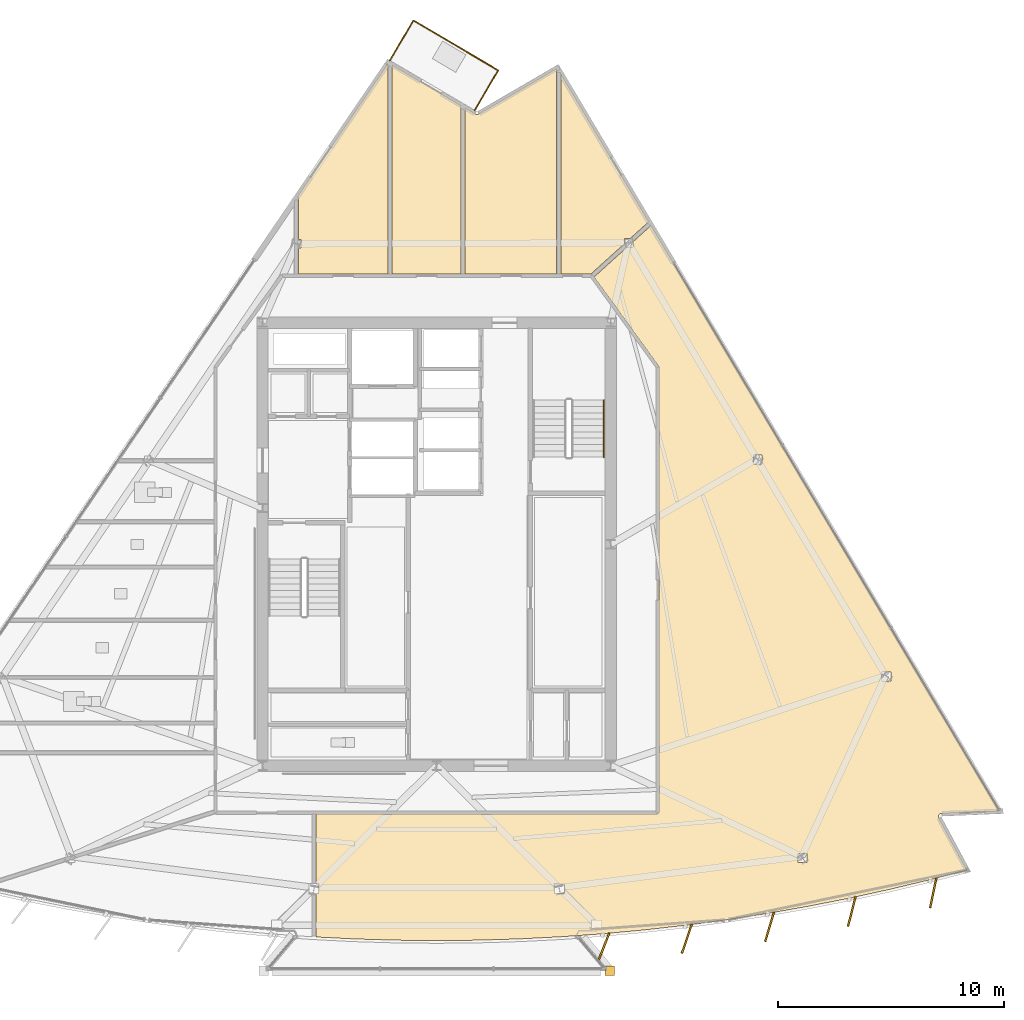
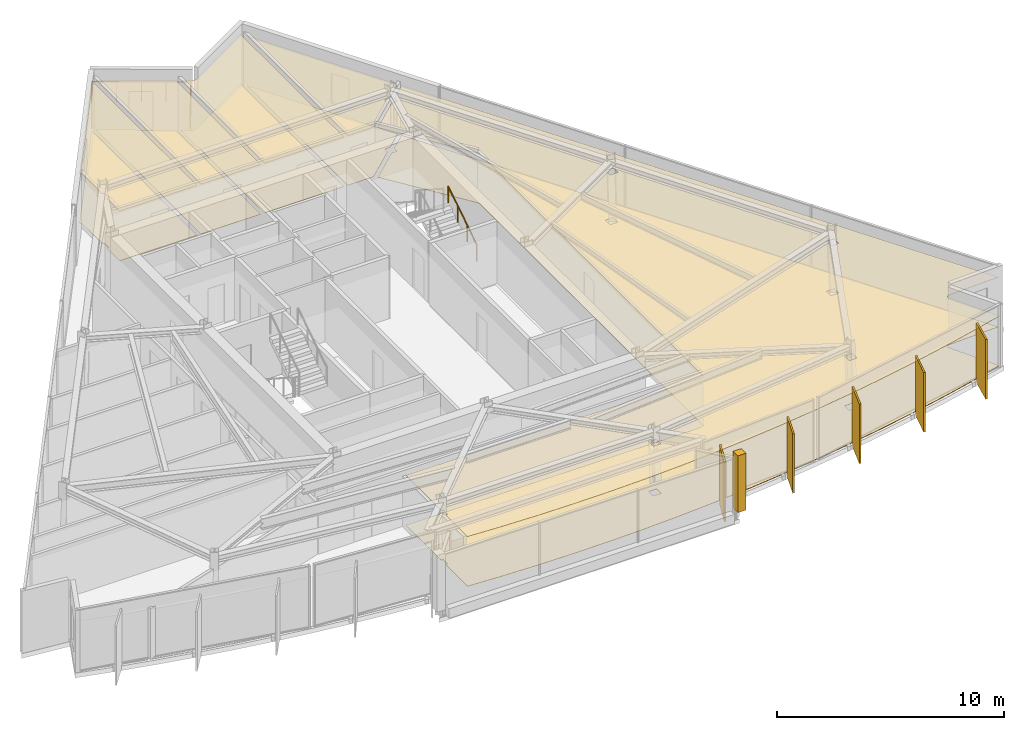
# One storey, part 13 of 14: 11 coverings, 5 shading devices, 4 railings.
"""IFC4 building model written with IfcOpenShell, lengths in metres."""

from ifc_helpers import new_model, si_unit, direction, frame, origin, origin_2d, place, context, subcontext, project, spatial, polyline, rectangle, circle, outline, extrude, material, layer, layer_set, type_object, element, save


model = new_model("IFC4")

# Units and contexts
model_context = context("Model", 3, precision=1e-05, world=origin(), true_north=direction((0.0, 1.0)))
body_context = subcontext(model_context, "Body", "Model", "MODEL_VIEW")
ifc_project = project(units=[si_unit("LENGTHUNIT", "METRE"), si_unit("AREAUNIT", "SQUARE_METRE"), si_unit("VOLUMEUNIT", "CUBIC_METRE"), si_unit("PLANEANGLEUNIT", "RADIAN"), si_unit("MASSUNIT", "GRAM", prefix="KILO")], contexts=[model_context])

# Site, building, storey
site_placement = place(None, origin())
site = spatial("IfcSite", under=ifc_project, at=site_placement, CompositionType="ELEMENT")
building_placement = place(site_placement, origin())
building = spatial("IfcBuilding", under=site, at=building_placement, Name="Savorim Split Tower", CompositionType="ELEMENT")
storey_placement = place(building_placement, frame((0.0, 0.0, 234.300048828125)))
storey = spatial("IfcBuildingStorey", under=building, at=storey_placement, Name="L62", CompositionType="ELEMENT", Elevation=234.300048828125)

# Coverings
ifc_material_1 = material(Name="Mineral Fibre Acoustic Ceiling")
ifc_layer_1 = layer(ifc_material_1, 0.02490234375)
ifc_layer_set_1 = layer_set([ifc_layer_1], Name="COV-CEIL-25")
covering_type_1 = type_object("IfcCoveringType", Name="COV-CEIL-25", PredefinedType="CEILING", material=ifc_layer_set_1)
covering_1_placement = place(storey_placement, frame((0.0, 0.0, 2.669921875)))
element("IfcCovering", 1, at=covering_1_placement, inside=storey, type_object=covering_type_1, Name="L62 Maker Workshop Acoustic Ceiling", PredefinedType="CEILING", context=body_context, shape_type="SweptSolid", body=[
    extrude(outline(polyline([(22.282958984375, -11.518310546875), (22.294189453125, -11.516357421875), (22.305908203125, -11.51513671875), (24.887451171875, -11.405517578125), (9.485107421875, 14.497314453125), (8.6953125, 13.783203125), (8.6953125, 13.537109375), (8.423095703125, 13.537109375), (6.96875, 12.221923828125), (6.961669921875, 12.215576171875), (9.813232421875, 8.2822265625), (9.8212890625, 8.27001953125), (9.827880859375, 8.2568359375), (9.833251953125, 8.2431640625), (9.8369140625, 8.22900390625), (9.839111328125, 8.214599609375), (9.840087890625, 8.199951171875), (9.840087890625, -11.39990234375), (9.83935546875, -11.413818359375), (9.83740234375, -11.42724609375), (9.833984375, -11.440673828125), (9.829345703125, -11.45361328125), (9.823486328125, -11.466064453125), (9.81640625, -11.477783203125), (9.80810546875, -11.48876953125), (9.799072265625, -11.4990234375), (9.788818359375, -11.50830078125), (9.77783203125, -11.516357421875), (9.76611328125, -11.5234375), (9.753662109375, -11.529296875), (9.740478515625, -11.533935546875), (9.727294921875, -11.537353515625), (9.713623046875, -11.539306640625), (9.699951171875, -11.5400390625), (-5.330810546875, -11.5400390625), (-5.330810546875, -14.6591796875), (-5.228759765625, -14.6591796875), (-5.228759765625, -15.05126953125), (-5.330810546875, -15.05126953125), (-5.330810546875, -16.917724609375), (-5.330810546875, -16.97265625), (-3.672607421875, -17.0576171875), (-1.836669921875, -17.114013671875), (0.0, -17.1328125), (1.836669921875, -17.114013671875), (3.672607421875, -17.0576171875), (5.5068359375, -16.963623046875), (7.3388671875, -16.832275390625), (9.167724609375, -16.663330078125), (10.992919921875, -16.45703125), (12.8134765625, -16.21337890625), (14.62841796875, -15.9326171875), (16.4375, -15.61474609375), (18.23974609375, -15.260009765625), (20.0341796875, -14.868408203125), (21.8203125, -14.440185546875), (23.450927734375, -14.013671875), (22.205078125, -11.69189453125), (22.2001953125, -11.681396484375), (22.1962890625, -11.670654296875), (22.193359375, -11.659423828125), (22.191650390625, -11.64794921875), (22.19091796875, -11.636474609375), (22.19140625, -11.625), (22.19287109375, -11.613525390625), (22.195556640625, -11.602294921875), (22.19921875, -11.59130859375), (22.203857421875, -11.580810546875), (22.209716796875, -11.57080078125), (22.21630859375, -11.561279296875), (22.223876953125, -11.552490234375), (22.232177734375, -11.544677734375), (22.2412109375, -11.537353515625), (22.2509765625, -11.53125), (22.26123046875, -11.52587890625), (22.27197265625, -11.521484375), (22.282958984375, -11.518310546875)]), holes=[polyline([(5.228759765625, -15.05126953125), (5.622802734375, -15.05126953125), (5.622802734375, -14.6591796875), (5.228759765625, -14.6591796875), (5.228759765625, -15.05126953125)]), polyline([(16.3857421875, -13.669189453125), (16.3857421875, -13.27734375), (15.99169921875, -13.27734375), (15.99169921875, -13.669189453125), (16.3857421875, -13.669189453125)]), polyline([(20.100341796875, -5.643310546875), (20.100341796875, -5.251220703125), (19.706298828125, -5.251220703125), (19.706298828125, -5.643310546875), (20.100341796875, -5.643310546875)]), polyline([(14.397705078125, 3.947021484375), (14.397705078125, 4.3388671875), (14.00390625, 4.3388671875), (14.00390625, 3.947021484375), (14.397705078125, 3.947021484375)])]), origin(), (0.0, 0.0, 1.0), 0.025146484375),
])
covering_2_placement = place(storey_placement, frame((0.0, 0.0, 2.669921875)))
element("IfcCovering", 2, at=covering_2_placement, inside=storey, type_object=covering_type_1, Name="L62 Quiet Study Room Acoustic Ceiling", PredefinedType="CEILING", context=body_context, shape_type="SweptSolid", body=[
    extrude(outline(polyline([(8.5732421875, 13.92919921875), (9.333984375, 14.616943359375), (9.385986328125, 14.6640625), (5.496826171875, 21.2041015625), (5.496826171875, 12.340087890625), (6.800048828125, 12.340087890625), (6.813232421875, 12.33935546875), (6.81494140625, 12.339111328125), (8.30126953125, 13.68310546875), (8.30126953125, 13.92919921875), (8.5732421875, 13.92919921875)])), origin(), (0.0, 0.0, 1.0), 0.025146484375),
])
covering_3_placement = place(storey_placement, frame((0.0, 0.0, 2.669921875)))
element("IfcCovering", 3, at=covering_3_placement, inside=storey, type_object=covering_type_1, Name="L62 Quiet Study Room Acoustic Ceiling", PredefinedType="CEILING", context=body_context, shape_type="SweptSolid", body=[
    extrude(outline(polyline([(1.748779296875, 19.415283203125), (1.73828125, 19.419921875), (1.72802734375, 19.425048828125), (1.258544921875, 19.701171875), (1.258544921875, 12.340087890625), (5.306884765625, 12.340087890625), (5.306884765625, 21.440185546875), (1.84912109375, 19.4248046875), (1.839111328125, 19.419677734375), (1.828369140625, 19.415283203125), (1.817138671875, 19.412109375), (1.805908203125, 19.409912109375), (1.79443359375, 19.40869140625), (1.78271484375, 19.40869140625), (1.771240234375, 19.409912109375), (1.760009765625, 19.412109375), (1.748779296875, 19.415283203125)])), origin(), (0.0, 0.0, 1.0), 0.025146484375),
])
covering_4_placement = place(storey_placement, frame((0.0, 0.0, 2.669921875)))
element("IfcCovering", 4, at=covering_4_placement, inside=storey, type_object=covering_type_1, Name="L62 Quiet Study Room Acoustic Ceiling", PredefinedType="CEILING", context=body_context, shape_type="SweptSolid", body=[
    extrude(outline(polyline([(-1.968994140625, 12.340087890625), (1.068603515625, 12.340087890625), (1.068603515625, 19.812744140625), (-1.968994140625, 21.597900390625), (-1.968994140625, 12.340087890625)])), origin(), (0.0, 0.0, 1.0), 0.025146484375),
])
covering_5_placement = place(storey_placement, frame((0.0, 0.0, 2.669921875)))
element("IfcCovering", 5, at=covering_5_placement, inside=storey, type_object=covering_type_1, Name="L62 Quiet Study Room Acoustic Ceiling", PredefinedType="CEILING", context=body_context, shape_type="SweptSolid", body=[
    extrude(outline(polyline([(-6.0048828125, 13.48828125), (-6.106689453125, 13.48828125), (-6.106689453125, 12.340087890625), (-2.158935546875, 12.340087890625), (-2.158935546875, 21.658935546875), (-6.197509765625, 15.721923828125), (-6.106689453125, 15.721923828125), (-6.106689453125, 13.88037109375), (-6.0048828125, 13.88037109375), (-6.0048828125, 13.48828125)])), origin(), (0.0, 0.0, 1.0), 0.025146484375),
])
ifc_material_2 = material(Name="Porcelain Stoneware Flooring", Category="masonry")
ifc_layer_2 = layer(ifc_material_2, 0.02001953125)
ifc_layer_set_2 = layer_set([ifc_layer_2], Name="COV-FLOR-20")
covering_type_2 = type_object("IfcCoveringType", Name="COV-FLOR-20", PredefinedType="FLOORING", material=ifc_layer_set_2)
covering_6_placement = place(storey_placement, origin())
element("IfcCovering", 6, at=covering_6_placement, inside=storey, type_object=covering_type_2, Name="L62 Maker Workshop Porcelain Flooring", PredefinedType="FLOORING", context=body_context, shape_type="SweptSolid", body=[
    extrude(outline(polyline([(22.282958984375, -11.518310546875), (22.294189453125, -11.516357421875), (22.305908203125, -11.51513671875), (24.887451171875, -11.405517578125), (9.485107421875, 14.497314453125), (8.6953125, 13.783203125), (8.6953125, 13.537109375), (8.423095703125, 13.537109375), (6.96875, 12.221923828125), (6.961669921875, 12.215576171875), (9.813232421875, 8.2822265625), (9.8212890625, 8.27001953125), (9.827880859375, 8.2568359375), (9.833251953125, 8.2431640625), (9.8369140625, 8.22900390625), (9.839111328125, 8.214599609375), (9.840087890625, 8.199951171875), (9.840087890625, -11.39990234375), (9.83935546875, -11.413818359375), (9.83740234375, -11.42724609375), (9.833984375, -11.440673828125), (9.829345703125, -11.45361328125), (9.823486328125, -11.466064453125), (9.81640625, -11.477783203125), (9.80810546875, -11.48876953125), (9.799072265625, -11.4990234375), (9.788818359375, -11.50830078125), (9.77783203125, -11.516357421875), (9.76611328125, -11.5234375), (9.753662109375, -11.529296875), (9.740478515625, -11.533935546875), (9.727294921875, -11.537353515625), (9.713623046875, -11.539306640625), (9.699951171875, -11.5400390625), (-5.330810546875, -11.5400390625), (-5.330810546875, -14.6591796875), (-5.228759765625, -14.6591796875), (-5.228759765625, -15.05126953125), (-5.330810546875, -15.05126953125), (-5.330810546875, -16.917724609375), (-5.330810546875, -16.97265625), (-3.672607421875, -17.0576171875), (-1.836669921875, -17.114013671875), (0.0, -17.1328125), (1.836669921875, -17.114013671875), (3.672607421875, -17.0576171875), (5.5068359375, -16.963623046875), (7.3388671875, -16.832275390625), (9.167724609375, -16.663330078125), (10.992919921875, -16.45703125), (12.8134765625, -16.21337890625), (14.62841796875, -15.9326171875), (16.4375, -15.61474609375), (18.23974609375, -15.260009765625), (20.0341796875, -14.868408203125), (21.8203125, -14.440185546875), (23.450927734375, -14.013671875), (22.205078125, -11.69189453125), (22.2001953125, -11.681396484375), (22.1962890625, -11.670654296875), (22.193359375, -11.659423828125), (22.191650390625, -11.64794921875), (22.19091796875, -11.636474609375), (22.19140625, -11.625), (22.19287109375, -11.613525390625), (22.195556640625, -11.602294921875), (22.19921875, -11.59130859375), (22.203857421875, -11.580810546875), (22.209716796875, -11.57080078125), (22.21630859375, -11.561279296875), (22.223876953125, -11.552490234375), (22.232177734375, -11.544677734375), (22.2412109375, -11.537353515625), (22.2509765625, -11.53125), (22.26123046875, -11.52587890625), (22.27197265625, -11.521484375), (22.282958984375, -11.518310546875)]), holes=[polyline([(5.228759765625, -15.05126953125), (5.622802734375, -15.05126953125), (5.622802734375, -14.6591796875), (5.228759765625, -14.6591796875), (5.228759765625, -15.05126953125)]), polyline([(16.3857421875, -13.669189453125), (16.3857421875, -13.27734375), (15.99169921875, -13.27734375), (15.99169921875, -13.669189453125), (16.3857421875, -13.669189453125)]), polyline([(20.100341796875, -5.643310546875), (20.100341796875, -5.251220703125), (19.706298828125, -5.251220703125), (19.706298828125, -5.643310546875), (20.100341796875, -5.643310546875)]), polyline([(14.397705078125, 3.947021484375), (14.397705078125, 4.3388671875), (14.00390625, 4.3388671875), (14.00390625, 3.947021484375), (14.397705078125, 3.947021484375)])]), origin(), (0.0, 0.0, 1.0), 0.02001953125),
])
covering_7_placement = place(storey_placement, origin())
element("IfcCovering", 7, at=covering_7_placement, inside=storey, type_object=covering_type_2, Name="L62 Quiet Study Room Porcelain Flooring", PredefinedType="FLOORING", context=body_context, shape_type="SweptSolid", body=[
    extrude(outline(polyline([(8.5732421875, 13.92919921875), (9.333984375, 14.616943359375), (9.385986328125, 14.6640625), (5.496826171875, 21.2041015625), (5.496826171875, 12.340087890625), (6.800048828125, 12.340087890625), (6.813232421875, 12.33935546875), (6.81494140625, 12.339111328125), (8.30126953125, 13.68310546875), (8.30126953125, 13.92919921875), (8.5732421875, 13.92919921875)])), origin(), (0.0, 0.0, 1.0), 0.02001953125),
])
covering_8_placement = place(storey_placement, origin())
element("IfcCovering", 8, at=covering_8_placement, inside=storey, type_object=covering_type_2, Name="L62 Quiet Study Room Porcelain Flooring", PredefinedType="FLOORING", context=body_context, shape_type="SweptSolid", body=[
    extrude(outline(polyline([(1.748779296875, 19.415283203125), (1.73828125, 19.419921875), (1.72802734375, 19.425048828125), (1.258544921875, 19.701171875), (1.258544921875, 12.340087890625), (5.306884765625, 12.340087890625), (5.306884765625, 21.440185546875), (1.84912109375, 19.4248046875), (1.839111328125, 19.419677734375), (1.828369140625, 19.415283203125), (1.817138671875, 19.412109375), (1.805908203125, 19.409912109375), (1.79443359375, 19.40869140625), (1.78271484375, 19.40869140625), (1.771240234375, 19.409912109375), (1.760009765625, 19.412109375), (1.748779296875, 19.415283203125)])), origin(), (0.0, 0.0, 1.0), 0.02001953125),
])
covering_9_placement = place(storey_placement, origin())
element("IfcCovering", 9, at=covering_9_placement, inside=storey, type_object=covering_type_2, Name="L62 Quiet Study Room Porcelain Flooring", PredefinedType="FLOORING", context=body_context, shape_type="SweptSolid", body=[
    extrude(outline(polyline([(-1.968994140625, 12.340087890625), (1.068603515625, 12.340087890625), (1.068603515625, 19.812744140625), (-1.968994140625, 21.597900390625), (-1.968994140625, 12.340087890625)])), origin(), (0.0, 0.0, 1.0), 0.02001953125),
])
covering_10_placement = place(storey_placement, origin())
element("IfcCovering", 10, at=covering_10_placement, inside=storey, type_object=covering_type_2, Name="L62 Quiet Study Room Porcelain Flooring", PredefinedType="FLOORING", context=body_context, shape_type="SweptSolid", body=[
    extrude(outline(polyline([(-6.0048828125, 13.48828125), (-6.106689453125, 13.48828125), (-6.106689453125, 12.340087890625), (-2.158935546875, 12.340087890625), (-2.158935546875, 21.658935546875), (-6.197509765625, 15.721923828125), (-6.106689453125, 15.721923828125), (-6.106689453125, 13.88037109375), (-6.0048828125, 13.88037109375), (-6.0048828125, 13.48828125)])), origin(), (0.0, 0.0, 1.0), 0.02001953125),
])
ifc_material_3 = material(Name="White Porcelain Architectural Cladding")
ifc_layer_3 = layer(ifc_material_3, 0.139892578125)
ifc_layer_set_3 = layer_set([ifc_layer_3], Name="COV-FRM-WHITE")
covering_type_3 = type_object("IfcCoveringType", Name="COV-FRM-WHITE", PredefinedType="CLADDING", material=ifc_layer_set_3)
covering_11_placement = place(storey_placement, frame((0.0, 0.0, 0.5400390625)))
element("IfcCovering", 11, at=covering_11_placement, inside=storey, type_object=covering_type_3, Name="L62 Cantilevered Lounge White Frame Corner Post 2", PredefinedType="CLADDING", context=body_context, shape_type="SweptSolid", body=[
    extrude(outline(polyline([(7.444091796875, -18.677490234375), (7.864013671875, -18.677490234375), (7.864013671875, -18.257568359375), (7.444091796875, -18.257568359375), (7.444091796875, -18.677490234375)])), origin(), (0.0, 0.0, 1.0), 3.0498046875),
])

# Railings
ifc_material_4 = material(Name="Galvanised Painted Steel Balustrade", Category="steel")
railing_type_1 = type_object("IfcRailingType", Name="RLG-BAL-1100", PredefinedType="BALUSTRADE", material=ifc_material_4)
railing_1_placement = place(storey_placement, frame((-2.06689453125, 21.794677734375, 0.0)))
element("IfcRailing", 12, at=railing_1_placement, inside=storey, type_object=railing_type_1, Name="L62 Tree Balcony Guardrail N-1", PredefinedType="BALUSTRADE", context=body_context, shape_type="SweptSolid", body=[
    extrude(circle(Radius=0.02392578125, at=origin_2d()), frame((0.0, 0.0, 1.076171875), z_axis=(0.506733850669, 0.862102548764, 0.0), x_axis=(-0.862102548764, 0.506733850669, 0.0)), (0.0, 0.0, 1.0), 2.050048828125),
    extrude(circle(Radius=0.02099609375, at=origin_2d()), origin(), (0.0, 0.0, 1.0), 1.052001953125),
    extrude(circle(Radius=0.02099609375, at=origin_2d()), frame((0.51953125, 0.8837890625, 0.0)), (0.0, 0.0, 1.0), 1.052001953125),
    extrude(circle(Radius=0.02099609375, at=origin_2d()), frame((1.038818359375, 1.767333984375, 0.0)), (0.0, 0.0, 1.0), 1.052001953125),
])
railing_2_placement = place(storey_placement, frame((-1.028076171875, 23.56201171875, 0.0)))
element("IfcRailing", 13, at=railing_2_placement, inside=storey, type_object=railing_type_1, Name="L62 Tree Balcony Guardrail N-2", PredefinedType="BALUSTRADE", context=body_context, shape_type="SweptSolid", body=[
    extrude(circle(Radius=0.02392578125, at=origin_2d()), frame((0.0, 0.0, 1.076171875), z_axis=(0.862120178289, -0.506703856496, 0.0), x_axis=(0.506703856496, 0.862120178289, 0.0)), (0.0, 0.0, 1.0), 4.352294921875),
    extrude(circle(Radius=0.02099609375, at=origin_2d()), origin(), (0.0, 0.0, 1.0), 1.052001953125),
    extrude(circle(Radius=0.02099609375, at=origin_2d()), frame((0.93798828125, -0.55126953125, 0.0)), (0.0, 0.0, 1.0), 1.052001953125),
    extrude(circle(Radius=0.02099609375, at=origin_2d()), frame((1.8759765625, -1.1025390625, 0.0)), (0.0, 0.0, 1.0), 1.052001953125),
    extrude(circle(Radius=0.02099609375, at=origin_2d()), frame((2.814208984375, -1.654052734375, 0.0)), (0.0, 0.0, 1.0), 1.052001953125),
    extrude(circle(Radius=0.02099609375, at=origin_2d()), frame((3.752197265625, -2.205322265625, 0.0)), (0.0, 0.0, 1.0), 1.052001953125),
])
railing_3_placement = place(storey_placement, frame((2.72412109375, 21.356689453125, 0.0)))
element("IfcRailing", 14, at=railing_3_placement, inside=storey, type_object=railing_type_1, Name="L62 Tree Balcony Guardrail N-3", PredefinedType="BALUSTRADE", context=body_context, shape_type="SweptSolid", body=[
    extrude(circle(Radius=0.02392578125, at=origin_2d()), frame((0.0, 0.0, 1.076171875), z_axis=(-0.506733850669, -0.862102548764, 0.0), x_axis=(0.862102548764, -0.506733850669, 0.0)), (0.0, 0.0, 1.0), 2.050048828125),
    extrude(circle(Radius=0.02099609375, at=origin_2d()), origin(), (0.0, 0.0, 1.0), 1.052001953125),
    extrude(circle(Radius=0.02099609375, at=origin_2d()), frame((-0.51953125, -0.8837890625, 0.0)), (0.0, 0.0, 1.0), 1.052001953125),
    extrude(circle(Radius=0.02099609375, at=origin_2d()), frame((-1.038818359375, -1.767333984375, 0.0)), (0.0, 0.0, 1.0), 1.052001953125),
])
railing_type_2 = type_object("IfcRailingType", Name="RLG-HR-900", PredefinedType="HANDRAIL", material=ifc_material_4)
railing_4_placement = place(storey_placement, frame((7.39990234375, 4.25, 0.179931640625)))
element("IfcRailing", 15, at=railing_4_placement, inside=storey, type_object=railing_type_2, Name="L62 ST-2 stair handrail 1", PredefinedType="HANDRAIL", context=body_context, shape_type="SweptSolid", body=[
    extrude(circle(Radius=0.02392578125, at=origin_2d()), frame((0.0, 0.0, 0.8759765625), z_axis=(0.0, 0.841162588446, 0.540782303519), x_axis=(-1.0, 0.0, 0.0)), (0.0, 0.0, 1.0), 2.995849609375),
    extrude(circle(Radius=0.02099609375, at=origin_2d()), origin(), (0.0, 0.0, 1.0), 0.851806640625),
    extrude(circle(Radius=0.02099609375, at=origin_2d()), frame((0.0, 0.840087890625, 0.5400390625)), (0.0, 0.0, 1.0), 0.851806640625),
    extrude(circle(Radius=0.02099609375, at=origin_2d()), frame((0.0, 1.679931640625, 1.080078125)), (0.0, 0.0, 1.0), 0.851806640625),
    extrude(circle(Radius=0.02099609375, at=origin_2d()), frame((0.0, 2.52001953125, 1.6201171875)), (0.0, 0.0, 1.0), 0.851806640625),
])

# Shading devices
ifc_material_5 = material(Name="Terracotta Ceramic-Coated Aluminium Fin", Category="masonry")
shading_device_type = type_object("IfcShadingDeviceType", Name="SHD-FIN-1360", PredefinedType="USERDEFINED", material=ifc_material_5)
for number, where, z_axis, x_axis, name in (
    (16, (7.3876953125, -17.42626953125, -0.2001953125), (0.0, 0.0, 1.0), (-0.363415461732, -0.931627179817, 0.0), "L62 Sawtooth Shading Fin 09"),
    (17, (11.06591796875, -17.048583984375, -0.2001953125), (0.0, 0.0, 1.0), (-0.324993810493, -0.945716143005, 0.0), "L62 Sawtooth Shading Fin 10"),
    (18, (14.7255859375, -16.520751953125, -0.2001953125), (0.0, 0.0, 1.0), (-0.286026212504, -0.958221793616, 0.0), "L62 Sawtooth Shading Fin 11"),
    (19, (18.36083984375, -15.843505859375, -0.2001953125), (0.0, 0.0, 1.0), (-0.246581250663, -0.969122121727, 0.0), "L62 Sawtooth Shading Fin 12"),
    (20, (21.965087890625, -15.018310546875, -0.2001953125), (0.0, 0.0, 1.0), (-0.206721626106, -0.978399800337, 0.0), "L62 Sawtooth Shading Fin 13"),
):
    element("IfcShadingDevice", number, at=place(storey_placement, frame(where, z_axis=z_axis, x_axis=x_axis)), inside=storey, type_object=shading_device_type, Name=name, ObjectType="FIN", PredefinedType="USERDEFINED", context=body_context, shape_type="SweptSolid", body=[
        extrude(rectangle(XDim=1.360107421875, YDim=0.080078125, at=origin_2d()), origin(), (0.0, 0.0, 1.0), 3.199951171875),
    ])

save(model, "model.ifc")
